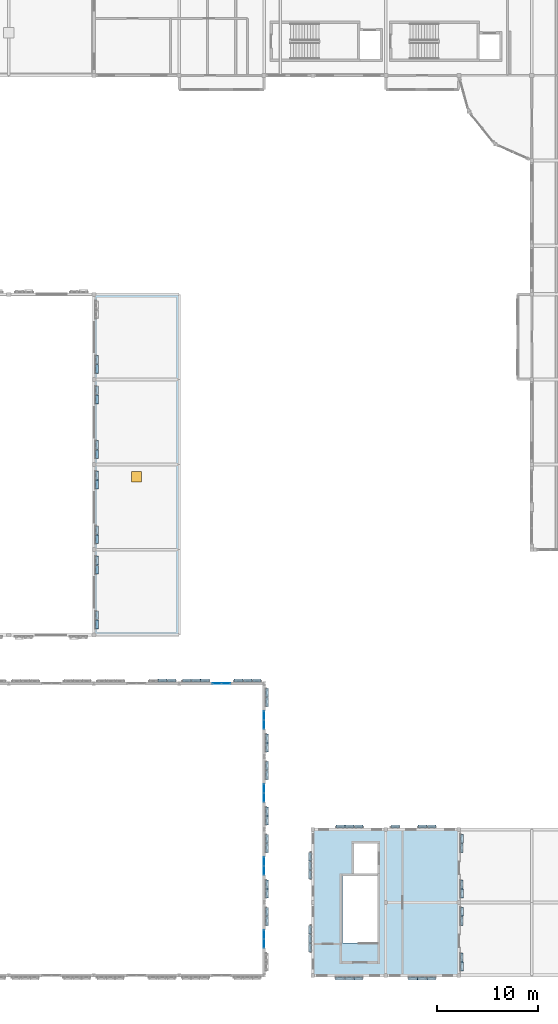
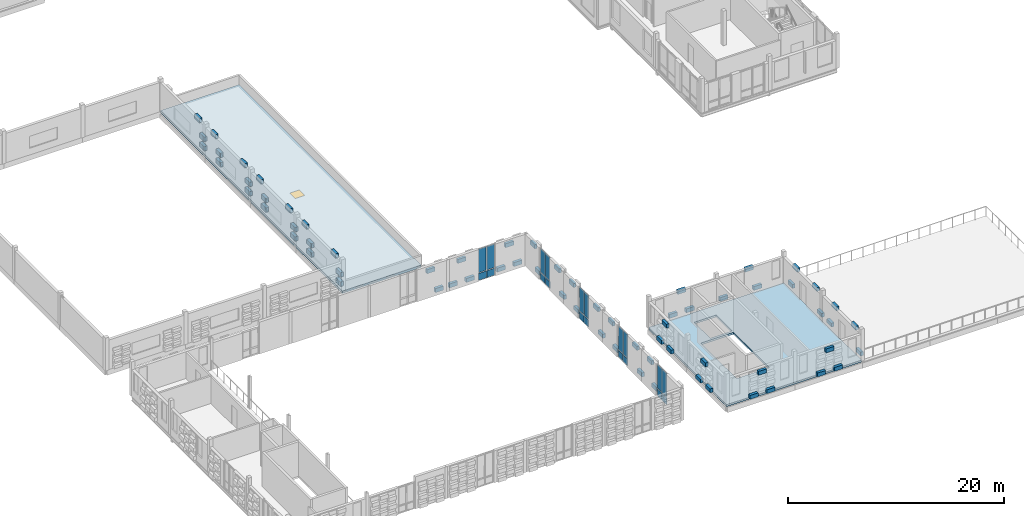
# One storey, part 23 of 57: 89 plates, 2 slabs, 1 door, 1 opening, 5 elements without a shape of their own.
"""IFC4 building model written with IfcOpenShell, lengths in metres."""

from ifc_helpers import new_model, si_unit, direction, frame, origin, origin_2d, place, context, subcontext, project, spatial, polyline, rectangle, outline, extrude, material, layer, layer_set, type_object, element, fill, aggregate, save


model = new_model("IFC4")

# Units and contexts
model_context = context("Model", 3, precision=1e-05, world=origin(), true_north=direction((0.0, 1.0)))
body_context = subcontext(model_context, "Body", "Model", "MODEL_VIEW")
ifc_project = project(units=[si_unit("LENGTHUNIT", "METRE"), si_unit("AREAUNIT", "SQUARE_METRE"), si_unit("VOLUMEUNIT", "CUBIC_METRE"), si_unit("PLANEANGLEUNIT", "RADIAN"), si_unit("MASSUNIT", "GRAM", prefix="KILO")], contexts=[model_context])

# Site, building, storey
site_placement = place(None, origin())
site = spatial("IfcSite", under=ifc_project, at=site_placement, CompositionType="ELEMENT")
building_placement = place(site_placement, origin())
building = spatial("IfcBuilding", under=site, at=building_placement, Name="Kahlenmark Community Centre", CompositionType="ELEMENT")
storey_placement = place(building_placement, frame((0.0, 0.0, 13.800048828125)))
storey = spatial("IfcBuildingStorey", under=building, at=storey_placement, Name="L03", CompositionType="ELEMENT", Elevation=13.800048828125)

# Curtain wall, plates
ifc_material_1 = material(Name="Anodised aluminium unitised curtain wall", Category="aluminium")
curtain_wall_type = type_object("IfcCurtainWallType", Name="CWT-UNIT-180X359", PredefinedType="USERDEFINED", material=ifc_material_1)
curtain_wall_1_placement = place(storey_placement, origin())
curtain_wall_1 = element("IfcCurtainWall", 1, at=curtain_wall_1_placement, inside=storey, type_object=curtain_wall_type, Name="Unitised curtain wall CW-112", ObjectType="UNITISED CURTAIN WALL", PredefinedType="USERDEFINED")
ifc_material_2 = material(Name="Triple low-e solar-control glass unit", Category="glass")
ifc_layer_1 = layer(ifc_material_2, 0.0439453125)
ifc_layer_set_1 = layer_set([ifc_layer_1], Name="Triple low-e solar-control glass unit")
plate_type_1 = type_object("IfcPlateType", Name="PLT-CW-GLZ-820X2660", PredefinedType="CURTAIN_PANEL", material=ifc_layer_set_1)
plate_1_placement = place(storey_placement, frame((42.25, 37.60009765625, 0.89013671875), z_axis=(0.0, 0.0, 1.0), x_axis=(-1.0, 0.0, 0.0)))
plate_1 = element("IfcPlate", 2, at=plate_1_placement, type_object=plate_type_1, Name="CW-112 glazed panel 1", PredefinedType="CURTAIN_PANEL", context=body_context, shape_type="SweptSolid", body=[
    extrude(rectangle(XDim=0.820068359375, YDim=0.0439453125, at=origin_2d()), origin(), (0.0, 0.0, 1.0), 2.659912109375),
])
plate_2_placement = place(storey_placement, frame((41.35009765625, 37.60009765625, 0.89013671875), z_axis=(0.0, 0.0, 1.0), x_axis=(-1.0, 0.0, 0.0)))
plate_2 = element("IfcPlate", 3, at=plate_2_placement, type_object=plate_type_1, Name="CW-112 glazed panel 2", PredefinedType="CURTAIN_PANEL", context=body_context, shape_type="SweptSolid", body=[
    extrude(rectangle(XDim=0.820068359375, YDim=0.0439453125, at=origin_2d()), origin(), (0.0, 0.0, 1.0), 2.659912109375),
])

curtain_wall_2_placement = place(storey_placement, origin())
curtain_wall_2 = element("IfcCurtainWall", 4, at=curtain_wall_2_placement, inside=storey, type_object=curtain_wall_type, Name="Unitised curtain wall CW-115", ObjectType="UNITISED CURTAIN WALL", PredefinedType="USERDEFINED")
plate_3_placement = place(storey_placement, frame((46.0, 11.949951171875, 0.89013671875), z_axis=(0.0, 0.0, 1.0), x_axis=(0.0, 1.0, 0.0)))
plate_3 = element("IfcPlate", 5, at=plate_3_placement, type_object=plate_type_1, Name="CW-115 glazed panel 1", PredefinedType="CURTAIN_PANEL", context=body_context, shape_type="SweptSolid", body=[
    extrude(rectangle(XDim=0.820068359375, YDim=0.0439453125, at=origin_2d()), origin(), (0.0, 0.0, 1.0), 2.659912109375),
])
plate_4_placement = place(storey_placement, frame((46.0, 12.85009765625, 0.89013671875), z_axis=(0.0, 0.0, 1.0), x_axis=(0.0, 1.0, 0.0)))
plate_4 = element("IfcPlate", 6, at=plate_4_placement, type_object=plate_type_1, Name="CW-115 glazed panel 2", PredefinedType="CURTAIN_PANEL", context=body_context, shape_type="SweptSolid", body=[
    extrude(rectangle(XDim=0.820068359375, YDim=0.0439453125, at=origin_2d()), origin(), (0.0, 0.0, 1.0), 2.659912109375),
])

curtain_wall_3_placement = place(storey_placement, origin())
curtain_wall_3 = element("IfcCurtainWall", 7, at=curtain_wall_3_placement, inside=storey, type_object=curtain_wall_type, Name="Unitised curtain wall CW-116", ObjectType="UNITISED CURTAIN WALL", PredefinedType="USERDEFINED")
plate_5_placement = place(storey_placement, frame((46.0, 19.14990234375, 0.89013671875), z_axis=(0.0, 0.0, 1.0), x_axis=(0.0, 1.0, 0.0)))
plate_5 = element("IfcPlate", 8, at=plate_5_placement, type_object=plate_type_1, Name="CW-116 glazed panel 1", PredefinedType="CURTAIN_PANEL", context=body_context, shape_type="SweptSolid", body=[
    extrude(rectangle(XDim=0.820068359375, YDim=0.0439453125, at=origin_2d()), origin(), (0.0, 0.0, 1.0), 2.659912109375),
])
plate_6_placement = place(storey_placement, frame((46.0, 20.050048828125, 0.89013671875), z_axis=(0.0, 0.0, 1.0), x_axis=(0.0, 1.0, 0.0)))
plate_6 = element("IfcPlate", 9, at=plate_6_placement, type_object=plate_type_1, Name="CW-116 glazed panel 2", PredefinedType="CURTAIN_PANEL", context=body_context, shape_type="SweptSolid", body=[
    extrude(rectangle(XDim=0.820068359375, YDim=0.0439453125, at=origin_2d()), origin(), (0.0, 0.0, 1.0), 2.659912109375),
])

curtain_wall_4_placement = place(storey_placement, origin())
curtain_wall_4 = element("IfcCurtainWall", 10, at=curtain_wall_4_placement, inside=storey, type_object=curtain_wall_type, Name="Unitised curtain wall CW-117", ObjectType="UNITISED CURTAIN WALL", PredefinedType="USERDEFINED")
plate_7_placement = place(storey_placement, frame((46.0, 26.35009765625, 0.89013671875), z_axis=(0.0, 0.0, 1.0), x_axis=(0.0, 1.0, 0.0)))
plate_7 = element("IfcPlate", 11, at=plate_7_placement, type_object=plate_type_1, Name="CW-117 glazed panel 1", PredefinedType="CURTAIN_PANEL", context=body_context, shape_type="SweptSolid", body=[
    extrude(rectangle(XDim=0.820068359375, YDim=0.0439453125, at=origin_2d()), origin(), (0.0, 0.0, 1.0), 2.659912109375),
])
plate_8_placement = place(storey_placement, frame((46.0, 27.25, 0.89013671875), z_axis=(0.0, 0.0, 1.0), x_axis=(0.0, 1.0, 0.0)))
plate_8 = element("IfcPlate", 12, at=plate_8_placement, type_object=plate_type_1, Name="CW-117 glazed panel 2", PredefinedType="CURTAIN_PANEL", context=body_context, shape_type="SweptSolid", body=[
    extrude(rectangle(XDim=0.820068359375, YDim=0.0439453125, at=origin_2d()), origin(), (0.0, 0.0, 1.0), 2.659912109375),
])

curtain_wall_5_placement = place(storey_placement, origin())
curtain_wall_5 = element("IfcCurtainWall", 13, at=curtain_wall_5_placement, inside=storey, type_object=curtain_wall_type, Name="Unitised curtain wall CW-118", ObjectType="UNITISED CURTAIN WALL", PredefinedType="USERDEFINED")
plate_9_placement = place(storey_placement, frame((46.0, 33.550048828125, 0.89013671875), z_axis=(0.0, 0.0, 1.0), x_axis=(0.0, 1.0, 0.0)))
plate_9 = element("IfcPlate", 14, at=plate_9_placement, type_object=plate_type_1, Name="CW-118 glazed panel 1", PredefinedType="CURTAIN_PANEL", context=body_context, shape_type="SweptSolid", body=[
    extrude(rectangle(XDim=0.820068359375, YDim=0.0439453125, at=origin_2d()), origin(), (0.0, 0.0, 1.0), 2.659912109375),
])
plate_10_placement = place(storey_placement, frame((46.0, 34.449951171875, 0.89013671875), z_axis=(0.0, 0.0, 1.0), x_axis=(0.0, 1.0, 0.0)))
plate_10 = element("IfcPlate", 15, at=plate_10_placement, type_object=plate_type_1, Name="CW-118 glazed panel 2", PredefinedType="CURTAIN_PANEL", context=body_context, shape_type="SweptSolid", body=[
    extrude(rectangle(XDim=0.820068359375, YDim=0.0439453125, at=origin_2d()), origin(), (0.0, 0.0, 1.0), 2.659912109375),
])

# Plate
ifc_material_3 = material(Name="Warm terracotta insulated spandrel cassette", Category="masonry")
ifc_layer_2 = layer(ifc_material_3, 0.06005859375)
ifc_layer_set_2 = layer_set([ifc_layer_2], Name="Warm terracotta insulated spandrel cassette")
plate_type_2 = type_object("IfcPlateType", Name="PLT-CW-SPD-820X770", PredefinedType="CURTAIN_PANEL", material=ifc_layer_set_2)
plate_11_placement = place(storey_placement, frame((42.25, 37.60009765625, 0.0400390625), z_axis=(0.0, 0.0, 1.0), x_axis=(-1.0, 0.0, 0.0)))
plate_11 = element("IfcPlate", 16, at=plate_11_placement, type_object=plate_type_2, Name="CW-112 spandrel 1", PredefinedType="CURTAIN_PANEL", context=body_context, shape_type="SweptSolid", body=[
    extrude(rectangle(XDim=0.820068359375, YDim=0.06005859375, at=origin_2d()), origin(), (0.0, 0.0, 1.0), 0.77001953125),
])

plate_12_placement = place(storey_placement, frame((41.35009765625, 37.60009765625, 0.0400390625), z_axis=(0.0, 0.0, 1.0), x_axis=(-1.0, 0.0, 0.0)))
plate_12 = element("IfcPlate", 17, at=plate_12_placement, type_object=plate_type_2, Name="CW-112 spandrel 2", PredefinedType="CURTAIN_PANEL", context=body_context, shape_type="SweptSolid", body=[
    extrude(rectangle(XDim=0.820068359375, YDim=0.06005859375, at=origin_2d()), origin(), (0.0, 0.0, 1.0), 0.77001953125),
])

aggregate(curtain_wall_1, [plate_11, plate_1, plate_12, plate_2])

plate_13_placement = place(storey_placement, frame((46.0, 11.949951171875, 0.0400390625), z_axis=(0.0, 0.0, 1.0), x_axis=(0.0, 1.0, 0.0)))
plate_13 = element("IfcPlate", 18, at=plate_13_placement, type_object=plate_type_2, Name="CW-115 spandrel 1", PredefinedType="CURTAIN_PANEL", context=body_context, shape_type="SweptSolid", body=[
    extrude(rectangle(XDim=0.820068359375, YDim=0.06005859375, at=origin_2d()), origin(), (0.0, 0.0, 1.0), 0.77001953125),
])

plate_14_placement = place(storey_placement, frame((46.0, 12.85009765625, 0.0400390625), z_axis=(0.0, 0.0, 1.0), x_axis=(0.0, 1.0, 0.0)))
plate_14 = element("IfcPlate", 19, at=plate_14_placement, type_object=plate_type_2, Name="CW-115 spandrel 2", PredefinedType="CURTAIN_PANEL", context=body_context, shape_type="SweptSolid", body=[
    extrude(rectangle(XDim=0.820068359375, YDim=0.06005859375, at=origin_2d()), origin(), (0.0, 0.0, 1.0), 0.77001953125),
])

aggregate(curtain_wall_2, [plate_13, plate_3, plate_14, plate_4])

plate_15_placement = place(storey_placement, frame((46.0, 19.14990234375, 0.0400390625), z_axis=(0.0, 0.0, 1.0), x_axis=(0.0, 1.0, 0.0)))
plate_15 = element("IfcPlate", 20, at=plate_15_placement, type_object=plate_type_2, Name="CW-116 spandrel 1", PredefinedType="CURTAIN_PANEL", context=body_context, shape_type="SweptSolid", body=[
    extrude(rectangle(XDim=0.820068359375, YDim=0.06005859375, at=origin_2d()), origin(), (0.0, 0.0, 1.0), 0.77001953125),
])

plate_16_placement = place(storey_placement, frame((46.0, 20.050048828125, 0.0400390625), z_axis=(0.0, 0.0, 1.0), x_axis=(0.0, 1.0, 0.0)))
plate_16 = element("IfcPlate", 21, at=plate_16_placement, type_object=plate_type_2, Name="CW-116 spandrel 2", PredefinedType="CURTAIN_PANEL", context=body_context, shape_type="SweptSolid", body=[
    extrude(rectangle(XDim=0.820068359375, YDim=0.06005859375, at=origin_2d()), origin(), (0.0, 0.0, 1.0), 0.77001953125),
])

aggregate(curtain_wall_3, [plate_15, plate_5, plate_16, plate_6])

plate_17_placement = place(storey_placement, frame((46.0, 26.35009765625, 0.0400390625), z_axis=(0.0, 0.0, 1.0), x_axis=(0.0, 1.0, 0.0)))
plate_17 = element("IfcPlate", 22, at=plate_17_placement, type_object=plate_type_2, Name="CW-117 spandrel 1", PredefinedType="CURTAIN_PANEL", context=body_context, shape_type="SweptSolid", body=[
    extrude(rectangle(XDim=0.820068359375, YDim=0.06005859375, at=origin_2d()), origin(), (0.0, 0.0, 1.0), 0.77001953125),
])

plate_18_placement = place(storey_placement, frame((46.0, 27.25, 0.0400390625), z_axis=(0.0, 0.0, 1.0), x_axis=(0.0, 1.0, 0.0)))
plate_18 = element("IfcPlate", 23, at=plate_18_placement, type_object=plate_type_2, Name="CW-117 spandrel 2", PredefinedType="CURTAIN_PANEL", context=body_context, shape_type="SweptSolid", body=[
    extrude(rectangle(XDim=0.820068359375, YDim=0.06005859375, at=origin_2d()), origin(), (0.0, 0.0, 1.0), 0.77001953125),
])

aggregate(curtain_wall_4, [plate_17, plate_7, plate_18, plate_8])

plate_19_placement = place(storey_placement, frame((46.0, 33.550048828125, 0.0400390625), z_axis=(0.0, 0.0, 1.0), x_axis=(0.0, 1.0, 0.0)))
plate_19 = element("IfcPlate", 24, at=plate_19_placement, type_object=plate_type_2, Name="CW-118 spandrel 1", PredefinedType="CURTAIN_PANEL", context=body_context, shape_type="SweptSolid", body=[
    extrude(rectangle(XDim=0.820068359375, YDim=0.06005859375, at=origin_2d()), origin(), (0.0, 0.0, 1.0), 0.77001953125),
])

plate_20_placement = place(storey_placement, frame((46.0, 34.449951171875, 0.0400390625), z_axis=(0.0, 0.0, 1.0), x_axis=(0.0, 1.0, 0.0)))
plate_20 = element("IfcPlate", 25, at=plate_20_placement, type_object=plate_type_2, Name="CW-118 spandrel 2", PredefinedType="CURTAIN_PANEL", context=body_context, shape_type="SweptSolid", body=[
    extrude(rectangle(XDim=0.820068359375, YDim=0.06005859375, at=origin_2d()), origin(), (0.0, 0.0, 1.0), 0.77001953125),
])

aggregate(curtain_wall_5, [plate_19, plate_9, plate_20, plate_10])

# Plates
ifc_material_4 = material(Name="Extruded glazed terracotta weave cassette", Category="masonry")
ifc_layer_3 = layer(ifc_material_4, 0.300048828125)
ifc_layer_set_3 = layer_set([ifc_layer_3], Name="Extruded glazed terracotta weave cassette")
plate_type_3 = type_object("IfcPlateType", Name="PLT-TC-TC-R34-840X300X487", PredefinedType="SHEET", material=ifc_layer_set_3)
for number, where, z_axis, x_axis, name in (
    (26, (29.5, 43.429931640625, 1.15380859375), (0.0, 0.0, 1.0), (0.0, 1.0, 0.0), "Basketweave terracotta cassette 4102"),
    (27, (29.5, 48.830078125, 1.15380859375), (0.0, 0.0, 1.0), (0.0, 1.0, 0.0), "Basketweave terracotta cassette 4114"),
    (28, (29.5, 51.830078125, 1.15380859375), (0.0, 0.0, 1.0), (0.0, 1.0, 0.0), "Basketweave terracotta cassette 4126"),
    (29, (29.5, 57.22998046875, 1.15380859375), (0.0, 0.0, 1.0), (0.0, 1.0, 0.0), "Basketweave terracotta cassette 4138"),
    (30, (29.5, 60.22998046875, 1.15380859375), (0.0, 0.0, 1.0), (0.0, 1.0, 0.0), "Basketweave terracotta cassette 4150"),
    (31, (29.5, 65.6298828125, 1.15380859375), (0.0, 0.0, 1.0), (0.0, 1.0, 0.0), "Basketweave terracotta cassette 4162"),
    (32, (29.5, 68.6298828125, 1.15380859375), (0.0, 0.0, 1.0), (0.0, 1.0, 0.0), "Basketweave terracotta cassette 4174"),
):
    element("IfcPlate", number, at=place(storey_placement, frame(where, z_axis=z_axis, x_axis=x_axis)), inside=storey, type_object=plate_type_3, Name=name, PredefinedType="SHEET", context=body_context, shape_type="SweptSolid", body=[
        extrude(rectangle(XDim=0.840087890625, YDim=0.300048828125, at=origin_2d()), origin(), (0.0, 0.0, 1.0), 0.487060546875),
    ])
ifc_layer_4 = layer(ifc_material_4, 0.300048828125)
ifc_layer_set_4 = layer_set([ifc_layer_4], Name="Extruded glazed terracotta weave cassette")
plate_type_4 = type_object("IfcPlateType", Name="PLT-TC-TC-R34-860X300X435", PredefinedType="SHEET", material=ifc_layer_set_4)
for number, where, z_axis, x_axis, name in (
    (33, (53.47998046875, 8.5, 0.099853515625), (0.0, 0.0, 1.0), (1.0, 0.0, 0.0), "Basketweave terracotta cassette 4472"),
    (34, (55.280029296875, 8.5, 0.099853515625), (0.0, 0.0, 1.0), (1.0, 0.0, 0.0), "Basketweave terracotta cassette 4484"),
    (35, (60.679931640625, 8.5, 0.099853515625), (0.0, 0.0, 1.0), (1.0, 0.0, 0.0), "Basketweave terracotta cassette 4490"),
    (36, (62.47998046875, 8.5, 0.099853515625), (0.0, 0.0, 1.0), (1.0, 0.0, 0.0), "Basketweave terracotta cassette 4502"),
    (37, (62.52001953125, 23.5, 0.099853515625), (0.0, 0.0, 1.0), (-1.0, 0.0, 0.0), "Basketweave terracotta cassette 4508"),
    (38, (58.919921875, 23.5, 0.099853515625), (0.0, 0.0, 1.0), (-1.0, 0.0, 0.0), "Basketweave terracotta cassette 4520"),
    (39, (55.320068359375, 23.5, 0.099853515625), (0.0, 0.0, 1.0), (-1.0, 0.0, 0.0), "Basketweave terracotta cassette 4526"),
    (40, (53.52001953125, 23.5, 0.099853515625), (0.0, 0.0, 1.0), (-1.0, 0.0, 0.0), "Basketweave terracotta cassette 4538"),
    (41, (50.5, 20.52001953125, 0.099853515625), (0.0, 0.0, 1.0), (0.0, -1.0, 0.0), "Basketweave terracotta cassette 4544"),
    (42, (50.5, 18.719970703125, 0.099853515625), (0.0, 0.0, 1.0), (0.0, -1.0, 0.0), "Basketweave terracotta cassette 4556"),
    (43, (50.5, 13.320068359375, 0.099853515625), (0.0, 0.0, 1.0), (0.0, -1.0, 0.0), "Basketweave terracotta cassette 4562"),
    (44, (50.5, 11.52001953125, 0.099853515625), (0.0, 0.0, 1.0), (0.0, -1.0, 0.0), "Basketweave terracotta cassette 4574"),
    (45, (65.5, 9.679931640625, 0.099853515625), (0.0, 0.0, 1.0), (0.0, 1.0, 0.0), "Basketweave terracotta cassette 4580"),
    (46, (65.5, 15.080078125, 0.099853515625), (0.0, 0.0, 1.0), (0.0, 1.0, 0.0), "Basketweave terracotta cassette 4598"),
    (47, (65.5, 16.8798828125, 0.099853515625), (0.0, 0.0, 1.0), (0.0, 1.0, 0.0), "Basketweave terracotta cassette 4604"),
    (48, (65.5, 22.280029296875, 0.099853515625), (0.0, 0.0, 1.0), (0.0, 1.0, 0.0), "Basketweave terracotta cassette 4622"),
):
    element("IfcPlate", number, at=place(storey_placement, frame(where, z_axis=z_axis, x_axis=x_axis)), inside=storey, type_object=plate_type_4, Name=name, PredefinedType="SHEET", context=body_context, shape_type="SweptSolid", body=[
        extrude(rectangle(XDim=0.860107421875, YDim=0.300048828125, at=origin_2d()), origin(), (0.0, 0.0, 1.0), 0.43505859375),
    ])
ifc_layer_5 = layer(ifc_material_4, 0.300048828125)
ifc_layer_set_5 = layer_set([ifc_layer_5], Name="Extruded glazed terracotta weave cassette")
plate_type_5 = type_object("IfcPlateType", Name="PLT-TC-TC-R34-860X300X450", PredefinedType="SHEET", material=ifc_layer_set_5)
for number, where, z_axis, x_axis, name in (
    (49, (36.8701171875, 37.89990234375, 0.10009765625), (0.0, 0.0, 1.0), (-1.0, 0.0, 0.0), "Basketweave terracotta cassette 3676"),
    (50, (45.27001953125, 37.89990234375, 0.10009765625), (0.0, 0.0, 1.0), (-1.0, 0.0, 0.0), "Basketweave terracotta cassette 3718"),
    (51, (43.469970703125, 37.89990234375, 0.10009765625), (0.0, 0.0, 1.0), (-1.0, 0.0, 0.0), "Basketweave terracotta cassette 3732"),
    (52, (40.169921875, 37.89990234375, 0.10009765625), (0.0, 0.0, 1.0), (-1.0, 0.0, 0.0), "Basketweave terracotta cassette 3739"),
    (53, (38.3701171875, 37.89990234375, 0.10009765625), (0.0, 0.0, 1.0), (-1.0, 0.0, 0.0), "Basketweave terracotta cassette 3753"),
    (54, (46.300048828125, 14.179931640625, 0.10009765625), (0.0, 0.0, 1.0), (0.0, 1.0, 0.0), "Basketweave terracotta cassette 3858"),
    (55, (46.300048828125, 16.8798828125, 0.10009765625), (0.0, 0.0, 1.0), (0.0, 1.0, 0.0), "Basketweave terracotta cassette 3872"),
    (56, (46.300048828125, 21.3798828125, 0.10009765625), (0.0, 0.0, 1.0), (0.0, 1.0, 0.0), "Basketweave terracotta cassette 3886"),
    (57, (46.300048828125, 24.080078125, 0.10009765625), (0.0, 0.0, 1.0), (0.0, 1.0, 0.0), "Basketweave terracotta cassette 3900"),
    (58, (46.300048828125, 28.580078125, 0.10009765625), (0.0, 0.0, 1.0), (0.0, 1.0, 0.0), "Basketweave terracotta cassette 3914"),
    (59, (46.300048828125, 31.280029296875, 0.10009765625), (0.0, 0.0, 1.0), (0.0, 1.0, 0.0), "Basketweave terracotta cassette 3928"),
    (60, (46.300048828125, 35.780029296875, 0.10009765625), (0.0, 0.0, 1.0), (0.0, 1.0, 0.0), "Basketweave terracotta cassette 3942"),
):
    element("IfcPlate", number, at=place(storey_placement, frame(where, z_axis=z_axis, x_axis=x_axis)), inside=storey, type_object=plate_type_5, Name=name, PredefinedType="SHEET", context=body_context, shape_type="SweptSolid", body=[
        extrude(rectangle(XDim=0.860107421875, YDim=0.300048828125, at=origin_2d()), origin(), (0.0, 0.0, 1.0), 0.449951171875),
    ])
ifc_layer_6 = layer(ifc_material_4, 0.300048828125)
ifc_layer_set_6 = layer_set([ifc_layer_6], Name="Extruded glazed terracotta weave cassette")
plate_type_6 = type_object("IfcPlateType", Name="PLT-TC-TC-R34-860X300X487", PredefinedType="SHEET", material=ifc_layer_set_6)
for number, where, z_axis, x_axis, name in (
    (61, (29.5, 43.429931640625, 0.10009765625), (0.0, 0.0, 1.0), (0.0, 1.0, 0.0), "Basketweave terracotta cassette 4100"),
    (62, (29.5, 48.830078125, 0.10009765625), (0.0, 0.0, 1.0), (0.0, 1.0, 0.0), "Basketweave terracotta cassette 4112"),
    (63, (29.5, 51.830078125, 0.10009765625), (0.0, 0.0, 1.0), (0.0, 1.0, 0.0), "Basketweave terracotta cassette 4124"),
    (64, (29.5, 57.22998046875, 0.10009765625), (0.0, 0.0, 1.0), (0.0, 1.0, 0.0), "Basketweave terracotta cassette 4136"),
    (65, (29.5, 60.22998046875, 0.10009765625), (0.0, 0.0, 1.0), (0.0, 1.0, 0.0), "Basketweave terracotta cassette 4148"),
    (66, (29.5, 65.6298828125, 0.10009765625), (0.0, 0.0, 1.0), (0.0, 1.0, 0.0), "Basketweave terracotta cassette 4160"),
    (67, (29.5, 68.6298828125, 0.10009765625), (0.0, 0.0, 1.0), (0.0, 1.0, 0.0), "Basketweave terracotta cassette 4172"),
):
    element("IfcPlate", number, at=place(storey_placement, frame(where, z_axis=z_axis, x_axis=x_axis)), inside=storey, type_object=plate_type_6, Name=name, PredefinedType="SHEET", context=body_context, shape_type="SweptSolid", body=[
        extrude(rectangle(XDim=0.860107421875, YDim=0.300048828125, at=origin_2d()), origin(), (0.0, 0.0, 1.0), 0.487060546875),
    ])
ifc_layer_7 = layer(ifc_material_4, 0.280029296875)
ifc_layer_set_7 = layer_set([ifc_layer_7], Name="Extruded glazed terracotta weave cassette")
plate_type_7 = type_object("IfcPlateType", Name="PLT-TC-TC-W30-860X280X435", PredefinedType="SHEET", material=ifc_layer_set_7)
for number, where, z_axis, x_axis, name in (
    (68, (54.3798828125, 8.510009765625, 2.474853515625), (0.0, 0.0, 1.0), (1.0, 0.0, 0.0), "Basketweave terracotta cassette 4483"),
    (69, (61.580078125, 8.510009765625, 2.474853515625), (0.0, 0.0, 1.0), (1.0, 0.0, 0.0), "Basketweave terracotta cassette 4501"),
    (70, (61.6201171875, 23.489990234375, 2.474853515625), (0.0, 0.0, 1.0), (-1.0, 0.0, 0.0), "Basketweave terracotta cassette 4519"),
    (71, (54.419921875, 23.489990234375, 2.474853515625), (0.0, 0.0, 1.0), (-1.0, 0.0, 0.0), "Basketweave terracotta cassette 4537"),
    (72, (50.510009765625, 19.6201171875, 2.474853515625), (0.0, 0.0, 1.0), (0.0, -1.0, 0.0), "Basketweave terracotta cassette 4555"),
    (73, (50.510009765625, 12.419921875, 2.474853515625), (0.0, 0.0, 1.0), (0.0, -1.0, 0.0), "Basketweave terracotta cassette 4573"),
    (74, (65.489990234375, 10.580078125, 2.474853515625), (0.0, 0.0, 1.0), (0.0, 1.0, 0.0), "Basketweave terracotta cassette 4591"),
    (75, (65.489990234375, 14.179931640625, 2.474853515625), (0.0, 0.0, 1.0), (0.0, 1.0, 0.0), "Basketweave terracotta cassette 4597"),
    (76, (65.489990234375, 17.780029296875, 2.474853515625), (0.0, 0.0, 1.0), (0.0, 1.0, 0.0), "Basketweave terracotta cassette 4615"),
    (77, (65.489990234375, 21.3798828125, 2.474853515625), (0.0, 0.0, 1.0), (0.0, 1.0, 0.0), "Basketweave terracotta cassette 4621"),
):
    element("IfcPlate", number, at=place(storey_placement, frame(where, z_axis=z_axis, x_axis=x_axis)), inside=storey, type_object=plate_type_7, Name=name, PredefinedType="SHEET", context=body_context, shape_type="SweptSolid", body=[
        extrude(rectangle(XDim=0.860107421875, YDim=0.280029296875, at=origin_2d()), origin(), (0.0, 0.0, 1.0), 0.43505859375),
    ])
ifc_layer_8 = layer(ifc_material_4, 0.280029296875)
ifc_layer_set_8 = layer_set([ifc_layer_8], Name="Extruded glazed terracotta weave cassette")
plate_type_8 = type_object("IfcPlateType", Name="PLT-TC-TC-W30-860X280X450", PredefinedType="SHEET", material=ifc_layer_set_8)
for number, where, z_axis, x_axis, name in (
    (78, (35.969970703125, 37.889892578125, 2.5498046875), (0.0, 0.0, 1.0), (-1.0, 0.0, 0.0), "Basketweave terracotta cassette 3688"),
    (79, (44.3701171875, 37.889892578125, 2.5498046875), (0.0, 0.0, 1.0), (-1.0, 0.0, 0.0), "Basketweave terracotta cassette 3730"),
    (80, (39.27001953125, 37.889892578125, 2.5498046875), (0.0, 0.0, 1.0), (-1.0, 0.0, 0.0), "Basketweave terracotta cassette 3751"),
    (81, (46.2900390625, 15.080078125, 2.5498046875), (0.0, 0.0, 1.0), (0.0, 1.0, 0.0), "Basketweave terracotta cassette 3870"),
    (82, (46.2900390625, 17.780029296875, 2.5498046875), (0.0, 0.0, 1.0), (0.0, 1.0, 0.0), "Basketweave terracotta cassette 3884"),
    (83, (46.2900390625, 22.280029296875, 2.5498046875), (0.0, 0.0, 1.0), (0.0, 1.0, 0.0), "Basketweave terracotta cassette 3898"),
    (84, (46.2900390625, 24.97998046875, 2.5498046875), (0.0, 0.0, 1.0), (0.0, 1.0, 0.0), "Basketweave terracotta cassette 3912"),
    (85, (46.2900390625, 29.47998046875, 2.5498046875), (0.0, 0.0, 1.0), (0.0, 1.0, 0.0), "Basketweave terracotta cassette 3926"),
    (86, (46.2900390625, 32.179931640625, 2.5498046875), (0.0, 0.0, 1.0), (0.0, 1.0, 0.0), "Basketweave terracotta cassette 3940"),
    (87, (46.2900390625, 36.679931640625, 2.5498046875), (0.0, 0.0, 1.0), (0.0, 1.0, 0.0), "Basketweave terracotta cassette 3954"),
):
    element("IfcPlate", number, at=place(storey_placement, frame(where, z_axis=z_axis, x_axis=x_axis)), inside=storey, type_object=plate_type_8, Name=name, PredefinedType="SHEET", context=body_context, shape_type="SweptSolid", body=[
        extrude(rectangle(XDim=0.860107421875, YDim=0.280029296875, at=origin_2d()), origin(), (0.0, 0.0, 1.0), 0.449951171875),
    ])
ifc_layer_9 = layer(ifc_material_4, 0.280029296875)
ifc_layer_set_9 = layer_set([ifc_layer_9], Name="Extruded glazed terracotta weave cassette")
plate_type_9 = type_object("IfcPlateType", Name="PLT-TC-TC-W30-860X280X487", PredefinedType="SHEET", material=ifc_layer_set_9)
for number, where, z_axis, x_axis, name in (
    (88, (29.489990234375, 44.330078125, 2.73486328125), (0.0, 0.0, 1.0), (0.0, 1.0, 0.0), "Basketweave terracotta cassette 4111"),
    (89, (29.489990234375, 49.72998046875, 2.73486328125), (0.0, 0.0, 1.0), (0.0, 1.0, 0.0), "Basketweave terracotta cassette 4123"),
    (90, (29.489990234375, 52.72998046875, 2.73486328125), (0.0, 0.0, 1.0), (0.0, 1.0, 0.0), "Basketweave terracotta cassette 4135"),
    (91, (29.489990234375, 58.1298828125, 2.73486328125), (0.0, 0.0, 1.0), (0.0, 1.0, 0.0), "Basketweave terracotta cassette 4147"),
    (92, (29.489990234375, 61.1298828125, 2.73486328125), (0.0, 0.0, 1.0), (0.0, 1.0, 0.0), "Basketweave terracotta cassette 4159"),
    (93, (29.489990234375, 66.530029296875, 2.73486328125), (0.0, 0.0, 1.0), (0.0, 1.0, 0.0), "Basketweave terracotta cassette 4171"),
    (94, (29.489990234375, 69.530029296875, 2.73486328125), (0.0, 0.0, 1.0), (0.0, 1.0, 0.0), "Basketweave terracotta cassette 4183"),
):
    element("IfcPlate", number, at=place(storey_placement, frame(where, z_axis=z_axis, x_axis=x_axis)), inside=storey, type_object=plate_type_9, Name=name, PredefinedType="SHEET", context=body_context, shape_type="SweptSolid", body=[
        extrude(rectangle(XDim=0.860107421875, YDim=0.280029296875, at=origin_2d()), origin(), (0.0, 0.0, 1.0), 0.487060546875),
    ])

# Slab
ifc_material_5 = material(Name="Cross-laminated timber CLT C24", Category="wood")
ifc_layer_10 = layer(ifc_material_5, 0.219970703125)
ifc_layer_set_10 = layer_set([ifc_layer_10], Name="Cross-laminated timber CLT C24")
slab_type_1 = type_object("IfcSlabType", Name="ST-FL-CLT220", PredefinedType="FLOOR", material=ifc_layer_set_10)
slab_1_placement = place(storey_placement, frame((0.0, 0.0, -0.219970703125)))
element("IfcSlab", 95, at=slab_1_placement, inside=storey, type_object=slab_type_1, Name="L03 Dining roof garden lobby floor slab", PredefinedType="FLOOR", context=body_context, shape_type="SweptSolid", body=[
    extrude(outline(polyline([(50.800048828125, 8.800048828125), (65.199951171875, 8.800048828125), (65.199951171875, 23.199951171875), (50.800048828125, 23.199951171875), (50.800048828125, 8.800048828125)]), holes=[polyline([(53.7060546875, 12.006103515625), (57.194091796875, 12.006103515625), (57.194091796875, 18.593994140625), (53.7060546875, 18.593994140625), (53.7060546875, 12.006103515625)]), polyline([(54.845947265625, 18.85595703125), (57.194091796875, 18.85595703125), (57.194091796875, 21.803955078125), (54.845947265625, 21.803955078125), (54.845947265625, 18.85595703125)])]), origin(), (0.0, 0.0, 1.0), 0.219970703125),
])

# Slab, opening, door
ifc_layer_11 = layer(ifc_material_5, 0.280029296875)
ifc_layer_set_11 = layer_set([ifc_layer_11], Name="Cross-laminated timber CLT C24")
slab_type_2 = type_object("IfcSlabType", Name="ST-RF-FLAT280", PredefinedType="ROOF", material=ifc_layer_set_11)
slab_2_placement = place(storey_placement, frame((0.0, 0.0, -0.280029296875)))
slab_2 = element("IfcSlab", 96, at=slab_2_placement, inside=storey, type_object=slab_type_2, Name="Flat insulated roof deck RF-L03-V2ANNEX", PredefinedType="ROOF", context=body_context, shape_type="SweptSolid", body=[
    extrude(outline(polyline([(29.199951171875, 42.39990234375), (37.60009765625, 42.39990234375), (37.60009765625, 76.0), (29.199951171875, 76.0), (29.199951171875, 42.39990234375)])), origin(), (0.0, 0.0, 1.0), 0.280029296875),
])
opening_placement = place(slab_2_placement, frame((33.39990234375, 58.0, -0.010009765625)))
opening = element("IfcOpeningElement", 97, at=opening_placement, cuts=slab_2, Name="Opening RH-100", PredefinedType="OPENING", context=body_context, shape_type="SweptSolid", body=[
    extrude(rectangle(XDim=1.0, YDim=1.0, at=origin_2d()), origin(), (0.0, 0.0, 1.0), 0.300048828125),
])
ifc_material_6 = material(Name="Insulated aluminium roof maintenance hatch", Category="aluminium")
door_type = type_object("IfcDoorType", Name="DT-HATCH-100X100", OperationType="NOTDEFINED", PredefinedType="TRAPDOOR", material=ifc_material_6)
door_placement = place(slab_2_placement, frame((33.39990234375, 58.0, 0.22998046875)))
door = element("IfcDoor", 98, at=door_placement, inside=storey, type_object=door_type, Name="Roof maintenance hatch RH-03", OperationType="SINGLE_SWING_LEFT", OverallHeight=1.0, OverallWidth=1.0, PredefinedType="TRAPDOOR", context=body_context, shape_type="SweptSolid", body=[
    extrude(rectangle(XDim=1.0, YDim=1.0, at=origin_2d()), origin(), (0.0, 0.0, 1.0), 0.050048828125),
])
fill(opening, door)

save(model, "model.ifc")
